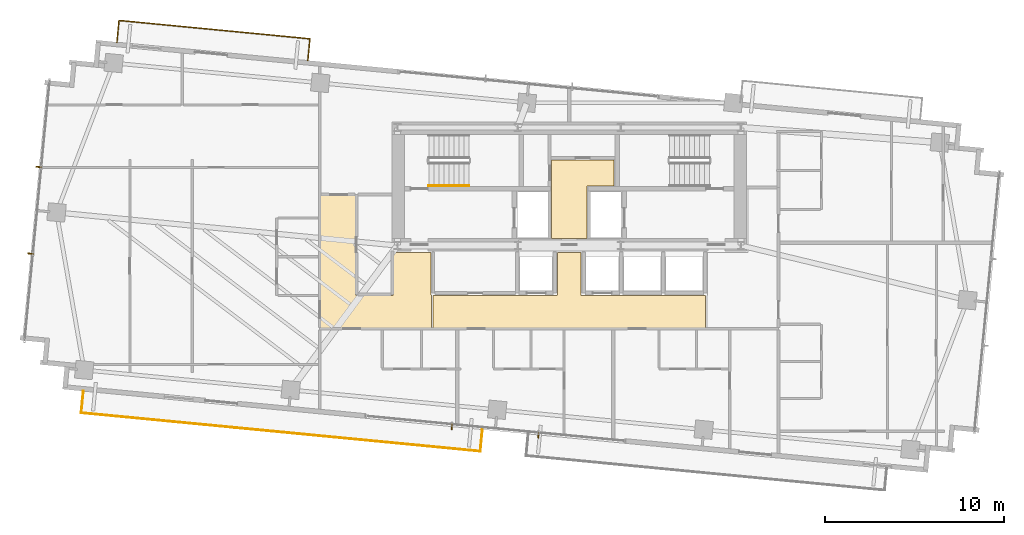
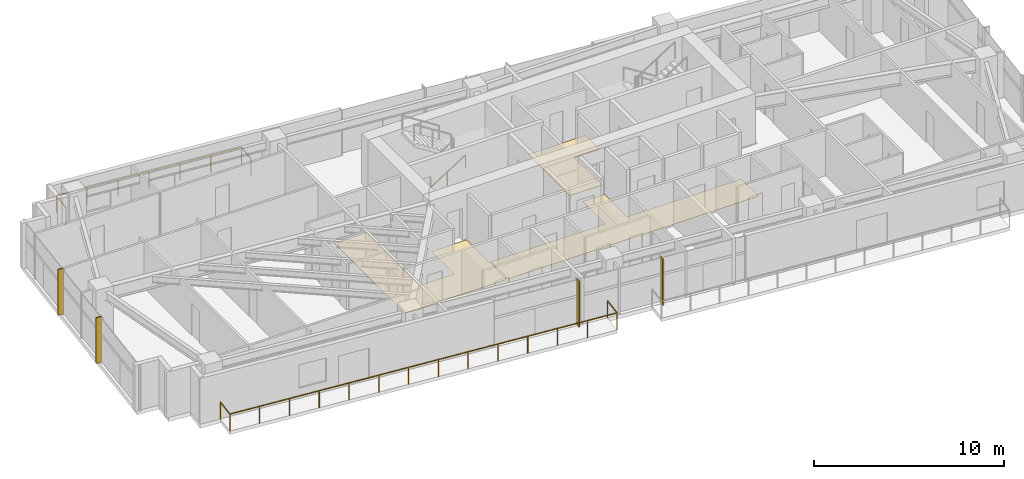
# One storey, part 18 of 19: 4 shading devices, 3 coverings, 3 railings.
"""IFC4 building model written with IfcOpenShell, lengths in metres."""

from ifc_helpers import new_model, si_unit, direction, frame, origin, origin_2d, place, context, subcontext, project, spatial, polyline, rectangle, outline, extrude, source, transform, mapped, material, layer, layer_set, type_object, type_shapes, element, save


model = new_model("IFC4")

# Units and contexts
model_context = context("Model", 3, precision=1e-05, world=origin(), true_north=direction((0.0, 1.0)))
body_context = subcontext(model_context, "Body", "Model", "MODEL_VIEW")
ifc_project = project(units=[si_unit("LENGTHUNIT", "METRE"), si_unit("AREAUNIT", "SQUARE_METRE"), si_unit("VOLUMEUNIT", "CUBIC_METRE"), si_unit("PLANEANGLEUNIT", "RADIAN"), si_unit("MASSUNIT", "GRAM", prefix="KILO")], contexts=[model_context])

# Site, building, storey
site_placement = place(None, origin())
site = spatial("IfcSite", under=ifc_project, at=site_placement, CompositionType="ELEMENT")
building_placement = place(site_placement, origin())
building = spatial("IfcBuilding", under=site, at=building_placement, Name="Astriad Promenade Condominiums", CompositionType="ELEMENT")
storey_placement = place(building_placement, frame((0.0, 0.0, 143.800048828125)))
storey = spatial("IfcBuildingStorey", under=building, at=storey_placement, Name="L41", CompositionType="ELEMENT", Elevation=143.800048828125)

# Coverings
ifc_material_1 = material(Name="Polished Lakefront Terrazzo Flooring")
ifc_layer = layer(ifc_material_1, 0.02001953125)
ifc_layer_set = layer_set([ifc_layer], Name="Polished Lakefront Terrazzo Flooring")
covering_type = type_object("IfcCoveringType", Name="COV-FLOR-TERRAZZO-20", PredefinedType="FLOORING", material=ifc_layer_set)
covering_1_placement = place(storey_placement, origin())
element("IfcCovering", 1, at=covering_1_placement, inside=storey, type_object=covering_type, Name="FLR-L41-CSL", PredefinedType="FLOORING", context=body_context, shape_type="SweptSolid", body=[
    extrude(outline(polyline([(36.97998046875, 20.699951171875), (36.97998046875, 17.7900390625), (35.02001953125, 17.7900390625), (35.02001953125, 22.179931640625), (38.5, 22.179931640625), (38.5, 20.739990234375), (37.02001953125, 20.739990234375), (37.01611328125, 20.73974609375), (37.01220703125, 20.7392578125), (37.00830078125, 20.73828125), (37.004638671875, 20.737060546875), (37.001220703125, 20.7353515625), (36.997802734375, 20.7333984375), (36.99462890625, 20.73095703125), (36.99169921875, 20.728271484375), (36.989013671875, 20.725341796875), (36.98681640625, 20.72216796875), (36.984619140625, 20.718994140625), (36.98291015625, 20.71533203125), (36.981689453125, 20.711669921875), (36.980712890625, 20.707763671875), (36.980224609375, 20.703857421875), (36.97998046875, 20.699951171875)])), origin(), (0.0, 0.0, 1.0), 0.02001953125),
])
covering_2_placement = place(storey_placement, origin())
element("IfcCovering", 2, at=covering_2_placement, inside=storey, type_object=covering_type, Name="FLR-L41-LLB", PredefinedType="FLOORING", context=body_context, shape_type="SweptSolid", body=[
    extrude(outline(polyline([(32.9736328125, 14.6201171875), (32.974609375, 14.619140625), (32.977783203125, 14.61669921875), (32.981201171875, 14.61474609375), (32.984619140625, 14.613037109375), (32.98828125, 14.61181640625), (32.9921875, 14.61083984375), (32.99609375, 14.610107421875), (33.0, 14.610107421875), (35.300048828125, 14.610107421875), (35.303955078125, 14.610107421875), (35.307861328125, 14.61083984375), (35.3115234375, 14.61181640625), (35.315185546875, 14.613037109375), (35.31884765625, 14.61474609375), (35.322265625, 14.61669921875), (35.325439453125, 14.619140625), (35.328369140625, 14.62158203125), (35.330810546875, 14.62451171875), (35.333251953125, 14.627685546875), (35.335205078125, 14.631103515625), (35.3369140625, 14.634765625), (35.33837890625, 14.638427734375), (35.339111328125, 14.64208984375), (35.33984375, 14.64599609375), (35.340087890625, 14.64990234375), (35.340087890625, 17.010009765625), (36.659912109375, 17.010009765625), (36.659912109375, 14.64990234375), (36.66015625, 14.64599609375), (36.660888671875, 14.64208984375), (36.66162109375, 14.638427734375), (36.6630859375, 14.634765625), (36.664794921875, 14.631103515625), (36.666748046875, 14.627685546875), (36.669189453125, 14.62451171875), (36.671630859375, 14.62158203125), (36.674560546875, 14.619140625), (36.677734375, 14.61669921875), (36.68115234375, 14.61474609375), (36.684814453125, 14.613037109375), (36.6884765625, 14.61181640625), (36.692138671875, 14.61083984375), (36.696044921875, 14.610107421875), (36.699951171875, 14.610107421875), (43.610107421875, 14.610107421875), (43.610107421875, 12.7900390625), (28.389892578125, 12.7900390625), (28.389892578125, 14.6201171875), (32.9736328125, 14.6201171875)])), origin(), (0.0, 0.0, 1.0), 0.02001953125),
])
covering_3_placement = place(storey_placement, origin())
element("IfcCovering", 3, at=covering_3_placement, inside=storey, type_object=covering_type, Name="FLR-L41-COR-2", PredefinedType="FLOORING", context=body_context, shape_type="SweptSolid", body=[
    extrude(outline(polyline([(28.300048828125, 12.7900390625), (22.090087890625, 12.7900390625), (22.090087890625, 20.2099609375), (24.06005859375, 20.2099609375), (24.06005859375, 14.659912109375), (24.060302734375, 14.656005859375), (24.060791015625, 14.652099609375), (24.061767578125, 14.6484375), (24.06298828125, 14.644775390625), (24.064697265625, 14.64111328125), (24.066650390625, 14.6376953125), (24.069091796875, 14.634521484375), (24.07177734375, 14.631591796875), (24.07470703125, 14.629150390625), (24.077880859375, 14.626708984375), (24.0810546875, 14.624755859375), (24.084716796875, 14.623046875), (24.08837890625, 14.62158203125), (24.09228515625, 14.620849609375), (24.09619140625, 14.6201171875), (24.10009765625, 14.6201171875), (26.1201171875, 14.6201171875), (26.123779296875, 14.6201171875), (26.127685546875, 14.620849609375), (26.131591796875, 14.62158203125), (26.13525390625, 14.623046875), (26.138916015625, 14.624755859375), (26.14208984375, 14.626708984375), (26.1455078125, 14.629150390625), (26.148193359375, 14.631591796875), (26.15087890625, 14.634521484375), (26.1533203125, 14.6376953125), (26.1552734375, 14.64111328125), (26.156982421875, 14.644775390625), (26.158203125, 14.6484375), (26.1591796875, 14.652099609375), (26.159912109375, 14.656005859375), (26.159912109375, 14.659912109375), (26.159912109375, 17.010009765625), (28.280029296875, 17.010009765625), (28.280029296875, 14.659912109375), (28.2802734375, 14.656005859375), (28.28076171875, 14.652099609375), (28.28173828125, 14.6484375), (28.282958984375, 14.644775390625), (28.28466796875, 14.64111328125), (28.28662109375, 14.6376953125), (28.2890625, 14.634521484375), (28.291748046875, 14.631591796875), (28.294677734375, 14.629150390625), (28.2978515625, 14.626708984375), (28.300048828125, 14.62548828125), (28.300048828125, 12.7900390625)])), origin(), (0.0, 0.0, 1.0), 0.02001953125),
])

# Shading devices
ifc_material_2 = material(Name="Anodised aluminium 6063-T6 Black Fin", Category="aluminium")
shading_device_type = type_object("IfcShadingDeviceType", Name="FIN-BLACK-260", PredefinedType="USERDEFINED", material=ifc_material_2)
shared_shape_1 = source(origin(), body_context, "Body", "SweptSolid", [
    extrude(rectangle(XDim=0.06494140625, YDim=0.320068359375, at=origin_2d()), origin(), (0.0, 0.0, 1.0), 2.93994140625),
])
type_shapes(shading_device_type, [shared_shape_1])
for number, where, z_axis, x_axis, name in (
    (4, (5.880126953125, 16.947509765625, 0.0), (0.0, 0.0, 1.0), (0.09584575252, 0.995396198367, 0.0), "CW-L41-W-FIN-01"),
    (5, (6.3466796875, 21.791748046875, 0.0), (0.0, 0.0, 1.0), (0.09584575252, 0.995396198367, 0.0), "CW-L41-W-FIN-02"),
    (6, (34.278564453125, 6.80224609375, 0.0), (0.0, 0.0, 1.0), (-0.995396198367, 0.09584575252, 0.0), "CW-L41-S-FIN-01"),
    (7, (29.44091796875, 7.26806640625, 0.0), (0.0, 0.0, 1.0), (-0.995396198367, 0.09584575252, 0.0), "CW-L41-S-FIN-02"),
):
    element("IfcShadingDevice", number, at=place(storey_placement, frame(where, z_axis=z_axis, x_axis=x_axis)), inside=storey, type_object=shading_device_type, Name=name, ObjectType="FIN", PredefinedType="USERDEFINED", context=body_context, shape_type="MappedRepresentation", body=[
        mapped(shared_shape_1, transform((0.0, 0.0, 0.0), scale=1.0)),
    ])

# Railings
ifc_material_3 = material(Name="Laminated Glass and Stainless Steel Balustrade", Category="steel")
railing_type_1 = type_object("IfcRailingType", Name="GRD-BALC-1120", PredefinedType="BALUSTRADE", material=ifc_material_3)
shared_shape_2 = source(origin(), body_context, "Body", "SweptSolid", [
    extrude(rectangle(XDim=0.048095703125, YDim=0.048095703125, at=origin_2d()), frame((0.0, 0.0, 1.09619140625), z_axis=(-0.095857307208, -0.99539508571, 0.0), x_axis=(0.99539508571, -0.095857307208, 0.0)), (0.0, 0.0, 1.0), 1.219970703125),
    extrude(rectangle(XDim=0.048095703125, YDim=0.048095703125, at=origin_2d()), frame((-0.116943359375, -1.21435546875, 1.09619140625), z_axis=(0.995396426183, -0.095843386532, 0.0), x_axis=(0.095843386532, 0.995396426183, 0.0)), (0.0, 0.0, 1.0), 22.4111328125),
    extrude(rectangle(XDim=0.048095703125, YDim=0.048095703125, at=origin_2d()), frame((22.19091796875, -3.3623046875, 1.09619140625), z_axis=(0.095857307208, 0.99539508571, 0.0), x_axis=(-0.99539508571, 0.095857307208, 0.0)), (0.0, 0.0, 1.0), 1.219970703125),
    extrude(rectangle(XDim=0.0419921875, YDim=0.0419921875, at=origin_2d()), origin(), (0.0, 0.0, 1.0), 1.072021484375),
    extrude(rectangle(XDim=0.0419921875, YDim=0.0419921875, at=origin_2d()), frame((-0.116943359375, -1.21435546875, 0.0)), (0.0, 0.0, 1.0), 1.072021484375),
    extrude(rectangle(XDim=0.0419921875, YDim=0.0419921875, at=origin_2d()), frame((1.59912109375, -1.379638671875, 0.0)), (0.0, 0.0, 1.0), 1.072021484375),
    extrude(rectangle(XDim=0.0419921875, YDim=0.0419921875, at=origin_2d()), frame((3.31494140625, -1.544921875, 0.0)), (0.0, 0.0, 1.0), 1.072021484375),
    extrude(rectangle(XDim=0.0419921875, YDim=0.0419921875, at=origin_2d()), frame((5.031005859375, -1.7099609375, 0.0)), (0.0, 0.0, 1.0), 1.072021484375),
    extrude(rectangle(XDim=0.0419921875, YDim=0.0419921875, at=origin_2d()), frame((6.7470703125, -1.875244140625, 0.0)), (0.0, 0.0, 1.0), 1.072021484375),
    extrude(rectangle(XDim=0.0419921875, YDim=0.0419921875, at=origin_2d()), frame((8.462890625, -2.04052734375, 0.0)), (0.0, 0.0, 1.0), 1.072021484375),
    extrude(rectangle(XDim=0.0419921875, YDim=0.0419921875, at=origin_2d()), frame((10.178955078125, -2.205810546875, 0.0)), (0.0, 0.0, 1.0), 1.072021484375),
    extrude(rectangle(XDim=0.0419921875, YDim=0.0419921875, at=origin_2d()), frame((11.89501953125, -2.370849609375, 0.0)), (0.0, 0.0, 1.0), 1.072021484375),
    extrude(rectangle(XDim=0.0419921875, YDim=0.0419921875, at=origin_2d()), frame((13.611083984375, -2.5361328125, 0.0)), (0.0, 0.0, 1.0), 1.072021484375),
    extrude(rectangle(XDim=0.0419921875, YDim=0.0419921875, at=origin_2d()), frame((15.326904296875, -2.701416015625, 0.0)), (0.0, 0.0, 1.0), 1.072021484375),
    extrude(rectangle(XDim=0.0419921875, YDim=0.0419921875, at=origin_2d()), frame((17.04296875, -2.86669921875, 0.0)), (0.0, 0.0, 1.0), 1.072021484375),
    extrude(rectangle(XDim=0.0419921875, YDim=0.0419921875, at=origin_2d()), frame((18.759033203125, -3.03173828125, 0.0)), (0.0, 0.0, 1.0), 1.072021484375),
    extrude(rectangle(XDim=0.0419921875, YDim=0.0419921875, at=origin_2d()), frame((20.474853515625, -3.197021484375, 0.0)), (0.0, 0.0, 1.0), 1.072021484375),
    extrude(rectangle(XDim=0.0419921875, YDim=0.0419921875, at=origin_2d()), frame((22.19091796875, -3.3623046875, 0.0)), (0.0, 0.0, 1.0), 1.072021484375),
    extrude(rectangle(XDim=0.0419921875, YDim=0.0419921875, at=origin_2d()), frame((22.307861328125, -2.14794921875, 0.0)), (0.0, 0.0, 1.0), 1.072021484375),
])
railing_1_placement = place(storey_placement, frame((8.834228515625, 9.26220703125, 0.0)))
element("IfcRailing", 8, at=railing_1_placement, inside=storey, type_object=railing_type_1, Name="GRD-BALC-L41-SW", PredefinedType="BALUSTRADE", context=body_context, shape_type="MappedRepresentation", body=[
    mapped(shared_shape_2, transform((0.0, 0.0, 0.0), scale=1.0)),
])
shared_shape_3 = source(origin(), body_context, "Body", "SweptSolid", [
    extrude(rectangle(XDim=0.048095703125, YDim=0.048095703125, at=origin_2d()), frame((0.0, 0.0, 1.09619140625), z_axis=(0.095857307208, 0.99539508571, 0.0), x_axis=(-0.99539508571, 0.095857307208, 0.0)), (0.0, 0.0, 1.0), 1.219970703125),
    extrude(rectangle(XDim=0.048095703125, YDim=0.048095703125, at=origin_2d()), frame((0.116943359375, 1.21435546875, 1.09619140625), z_axis=(-0.995395670933, 0.095851229978, 0.0), x_axis=(-0.095851229978, -0.995395670933, 0.0)), (0.0, 0.0, 1.0), 10.72314453125),
    extrude(rectangle(XDim=0.048095703125, YDim=0.048095703125, at=origin_2d()), frame((-10.556884765625, 2.2421875, 1.09619140625), z_axis=(-0.095659020692, -0.99541416092, 0.0), x_axis=(0.99541416092, -0.095659020692, 0.0)), (0.0, 0.0, 1.0), 1.219970703125),
    extrude(rectangle(XDim=0.0419921875, YDim=0.0419921875, at=origin_2d()), origin(), (0.0, 0.0, 1.0), 1.072021484375),
    extrude(rectangle(XDim=0.0419921875, YDim=0.0419921875, at=origin_2d()), frame((0.116943359375, 1.21435546875, 0.0)), (0.0, 0.0, 1.0), 1.072021484375),
    extrude(rectangle(XDim=0.0419921875, YDim=0.0419921875, at=origin_2d()), frame((-1.662109375, 1.3857421875, 0.0)), (0.0, 0.0, 1.0), 1.072021484375),
    extrude(rectangle(XDim=0.0419921875, YDim=0.0419921875, at=origin_2d()), frame((-3.44091796875, 1.556884765625, 0.0)), (0.0, 0.0, 1.0), 1.072021484375),
    extrude(rectangle(XDim=0.0419921875, YDim=0.0419921875, at=origin_2d()), frame((-5.219970703125, 1.728271484375, 0.0)), (0.0, 0.0, 1.0), 1.072021484375),
    extrude(rectangle(XDim=0.0419921875, YDim=0.0419921875, at=origin_2d()), frame((-6.9990234375, 1.899658203125, 0.0)), (0.0, 0.0, 1.0), 1.072021484375),
    extrude(rectangle(XDim=0.0419921875, YDim=0.0419921875, at=origin_2d()), frame((-8.77783203125, 2.07080078125, 0.0)), (0.0, 0.0, 1.0), 1.072021484375),
    extrude(rectangle(XDim=0.0419921875, YDim=0.0419921875, at=origin_2d()), frame((-10.556884765625, 2.2421875, 0.0)), (0.0, 0.0, 1.0), 1.072021484375),
    extrude(rectangle(XDim=0.0419921875, YDim=0.0419921875, at=origin_2d()), frame((-10.673583984375, 1.02783203125, 0.0)), (0.0, 0.0, 1.0), 1.072021484375),
])
type_shapes(railing_type_1, [shared_shape_2, shared_shape_3])
railing_2_placement = place(storey_placement, frame((21.386474609375, 27.744384765625, 0.0)))
element("IfcRailing", 9, at=railing_2_placement, inside=storey, type_object=railing_type_1, Name="GRD-BALC-L41-NW", PredefinedType="BALUSTRADE", context=body_context, shape_type="MappedRepresentation", body=[
    mapped(shared_shape_3, transform((0.0, 0.0, 0.0), scale=1.0)),
])
ifc_material_4 = material(Name="Brushed Stainless Steel Handrail", Category="steel")
railing_type_2 = type_object("IfcRailingType", Name="HRL-STAIR-920", PredefinedType="HANDRAIL", material=ifc_material_4)
shared_shape_4 = source(origin(), body_context, "Body", "SweptSolid", [
    extrude(rectangle(XDim=0.048095703125, YDim=0.048095703125, at=origin_2d()), frame((0.0, 0.0, 0.8759765625), z_axis=(0.8442293374, 0.0, 0.53598211339), x_axis=(0.0, 1.0, 0.0)), (0.0, 0.0, 1.0), 2.6533203125),
    extrude(rectangle(XDim=0.0419921875, YDim=0.0419921875, at=origin_2d()), origin(), (0.0, 0.0, 1.0), 0.851806640625),
    extrude(rectangle(XDim=0.0419921875, YDim=0.0419921875, at=origin_2d()), frame((1.1201171875, 0.0, 0.7109375)), (0.0, 0.0, 1.0), 0.851806640625),
    extrude(rectangle(XDim=0.0419921875, YDim=0.0419921875, at=origin_2d()), frame((2.239990234375, 0.0, 1.422119140625)), (0.0, 0.0, 1.0), 0.851806640625),
])
type_shapes(railing_type_2, [shared_shape_4])
railing_3_placement = place(storey_placement, frame((28.14990234375, 20.75, 0.177734375)))
element("IfcRailing", 10, at=railing_3_placement, inside=storey, type_object=railing_type_2, Name="L41 ST-1 stair handrail 1", PredefinedType="HANDRAIL", context=body_context, shape_type="MappedRepresentation", body=[
    mapped(shared_shape_4, transform((0.0, 0.0, 0.0), scale=1.0)),
])

save(model, "model.ifc")
